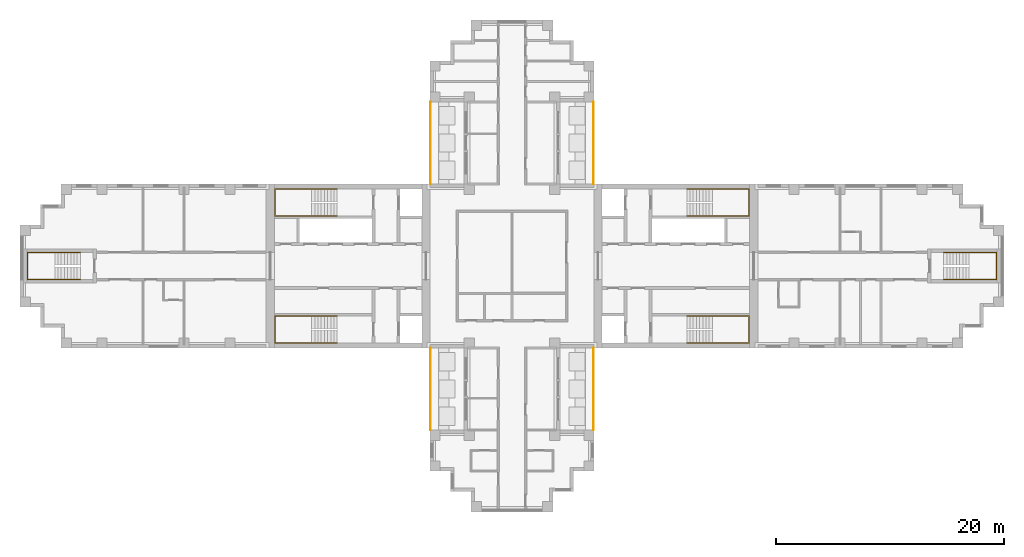
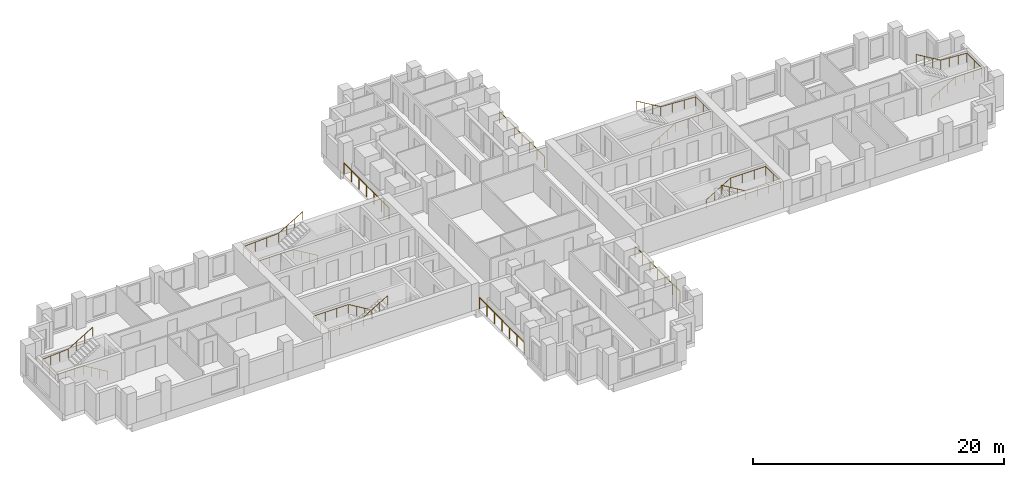
# One storey, part 11 of 12: 10 railings.
"""IFC4 building model written with IfcOpenShell, lengths in metres."""

from ifc_helpers import new_model, si_unit, direction, frame, origin, origin_2d, place, context, subcontext, project, spatial, circle, extrude, material, type_object, element, save


model = new_model("IFC4")

# Units and contexts
model_context = context("Model", 3, precision=1e-05, world=origin(), true_north=direction((0.0, 1.0)))
body_context = subcontext(model_context, "Body", "Model", "MODEL_VIEW")
ifc_project = project(units=[si_unit("LENGTHUNIT", "METRE"), si_unit("AREAUNIT", "SQUARE_METRE"), si_unit("VOLUMEUNIT", "CUBIC_METRE"), si_unit("PLANEANGLEUNIT", "RADIAN"), si_unit("MASSUNIT", "GRAM", prefix="KILO")], contexts=[model_context])

# Site, building, storey
site_placement = place(None, origin())
site = spatial("IfcSite", under=ifc_project, at=site_placement, CompositionType="ELEMENT")
building_placement = place(site_placement, origin())
building = spatial("IfcBuilding", under=site, at=building_placement, Name="Fustian Cross Tower", CompositionType="ELEMENT")
storey_placement = place(building_placement, frame((0.0, 0.0, 156.300048828125)))
storey = spatial("IfcBuildingStorey", under=building, at=storey_placement, Name="L49", CompositionType="ELEMENT", Elevation=156.300048828125)

# Railings
ifc_material_1 = material(Name="Stainless steel and glass", Category="steel")
railing_type_1 = type_object("IfcRailingType", Name="GR1 BALCONY GUARD 1100", PredefinedType="GUARDRAIL", material=ifc_material_1)
for number, where, name in (
    (1, (7.14990234375, 7.199951171875, 0.0), "Balcony guard"),
    (2, (-7.14990234375, 7.199951171875, 0.0), "Balcony guard"),
    (3, (7.14990234375, -14.39990234375, 0.0), "Balcony guard"),
    (4, (-7.14990234375, -14.39990234375, 0.0), "Balcony guard"),
):
    element("IfcRailing", number, at=place(storey_placement, frame(where)), inside=storey, type_object=railing_type_1, Name=name, PredefinedType="GUARDRAIL", context=body_context, shape_type="SweptSolid", body=[
        extrude(circle(Radius=0.02392578125, at=origin_2d()), frame((0.0, 0.0, 1.076171875), z_axis=(0.0, 1.0, 0.0), x_axis=(-1.0, 0.0, 0.0)), (0.0, 0.0, 1.0), 7.199951171875),
        extrude(circle(Radius=0.02099609375, at=origin_2d()), origin(), (0.0, 0.0, 1.0), 1.052001953125),
        extrude(circle(Radius=0.02099609375, at=origin_2d()), frame((0.0, 1.199951171875, 0.0)), (0.0, 0.0, 1.0), 1.052001953125),
        extrude(circle(Radius=0.02099609375, at=origin_2d()), frame((0.0, 2.39990234375, 0.0)), (0.0, 0.0, 1.0), 1.052001953125),
        extrude(circle(Radius=0.02099609375, at=origin_2d()), frame((0.0, 3.60009765625, 0.0)), (0.0, 0.0, 1.0), 1.052001953125),
        extrude(circle(Radius=0.02099609375, at=origin_2d()), frame((0.0, 4.800048828125, 0.0)), (0.0, 0.0, 1.0), 1.052001953125),
        extrude(circle(Radius=0.02099609375, at=origin_2d()), frame((0.0, 6.0, 0.0)), (0.0, 0.0, 1.0), 1.052001953125),
        extrude(circle(Radius=0.02099609375, at=origin_2d()), frame((0.0, 7.199951171875, 0.0)), (0.0, 0.0, 1.0), 1.052001953125),
    ])
ifc_material_2 = material(Name="Stainless steel", Category="steel")
railing_type_2 = type_object("IfcRailingType", Name="STAIR HANDRAIL", PredefinedType="HANDRAIL", material=ifc_material_2)
railing_1_placement = place(storey_placement, frame((15.35009765625, 4.39990234375, 0.16650390625)))
element("IfcRailing", 5, at=railing_1_placement, inside=storey, type_object=railing_type_2, Name="Stair ST1 handrail 1", PredefinedType="HANDRAIL", context=body_context, shape_type="SweptSolid", body=[
    extrude(circle(Radius=0.02490234375, at=origin_2d()), frame((0.0, 0.0, 0.875), z_axis=(0.859264461869, 0.0, 0.511531606619), x_axis=(0.0, 1.0, 0.0)), (0.0, 0.0, 1.0), 2.60693359375),
    extrude(circle(Radius=0.02490234375, at=origin_2d()), frame((2.239990234375, 0.0, 2.20849609375), z_axis=(1.0, 0.0, 0.0), x_axis=(0.0, 1.0, 0.0)), (0.0, 0.0, 1.0), 3.219970703125),
    extrude(circle(Radius=0.02490234375, at=origin_2d()), frame((5.4599609375, 0.0, 2.20849609375), z_axis=(0.0, 1.0, 0.0), x_axis=(-1.0, 0.0, 0.0)), (0.0, 0.0, 1.0), 2.35009765625),
    extrude(circle(Radius=0.02490234375, at=origin_2d()), frame((5.4599609375, 2.35009765625, 2.20849609375), z_axis=(-0.998665725648, 0.0, 0.051640763128), x_axis=(0.0, -1.0, 0.0)), (0.0, 0.0, 1.0), 3.224365234375),
    extrude(circle(Radius=0.02490234375, at=origin_2d()), frame((2.239990234375, 2.35009765625, 2.375), z_axis=(-0.859264461869, 0.0, 0.511531606619), x_axis=(0.0, -1.0, 0.0)), (0.0, 0.0, 1.0), 2.60693359375),
    extrude(circle(Radius=0.02001953125, at=origin_2d()), origin(), (0.0, 0.0, 1.0), 0.849853515625),
    extrude(circle(Radius=0.02001953125, at=origin_2d()), frame((0.74658203125, 0.0, 0.444580078125)), (0.0, 0.0, 1.0), 0.849853515625),
    extrude(circle(Radius=0.02001953125, at=origin_2d()), frame((1.493408203125, 0.0, 0.888916015625)), (0.0, 0.0, 1.0), 0.849853515625),
    extrude(circle(Radius=0.02001953125, at=origin_2d()), frame((2.239990234375, 0.0, 1.33349609375)), (0.0, 0.0, 1.0), 0.849853515625),
    extrude(circle(Radius=0.02001953125, at=origin_2d()), frame((3.313232421875, 0.0, 1.33349609375)), (0.0, 0.0, 1.0), 0.849853515625),
    extrude(circle(Radius=0.02001953125, at=origin_2d()), frame((4.38671875, 0.0, 1.33349609375)), (0.0, 0.0, 1.0), 0.849853515625),
    extrude(circle(Radius=0.02001953125, at=origin_2d()), frame((5.4599609375, 0.0, 1.33349609375)), (0.0, 0.0, 1.0), 0.849853515625),
    extrude(circle(Radius=0.02001953125, at=origin_2d()), frame((5.4599609375, 1.175048828125, 1.33349609375)), (0.0, 0.0, 1.0), 0.849853515625),
    extrude(circle(Radius=0.02001953125, at=origin_2d()), frame((5.4599609375, 2.35009765625, 1.33349609375)), (0.0, 0.0, 1.0), 0.849853515625),
    extrude(circle(Radius=0.02001953125, at=origin_2d()), frame((4.38671875, 2.35009765625, 1.388916015625)), (0.0, 0.0, 1.0), 0.849853515625),
    extrude(circle(Radius=0.02001953125, at=origin_2d()), frame((3.313232421875, 2.35009765625, 1.444580078125)), (0.0, 0.0, 1.0), 0.849853515625),
    extrude(circle(Radius=0.02001953125, at=origin_2d()), frame((2.239990234375, 2.35009765625, 1.5)), (0.0, 0.0, 1.0), 0.849853515625),
    extrude(circle(Radius=0.02001953125, at=origin_2d()), frame((1.493408203125, 2.35009765625, 1.944580078125)), (0.0, 0.0, 1.0), 0.849853515625),
    extrude(circle(Radius=0.02001953125, at=origin_2d()), frame((0.74658203125, 2.35009765625, 2.388916015625)), (0.0, 0.0, 1.0), 0.849853515625),
    extrude(circle(Radius=0.02001953125, at=origin_2d()), frame((0.0, 2.35009765625, 2.83349609375)), (0.0, 0.0, 1.0), 0.849853515625),
])
railing_2_placement = place(storey_placement, frame((15.35009765625, -4.39990234375, 0.16650390625)))
element("IfcRailing", 6, at=railing_2_placement, inside=storey, type_object=railing_type_2, Name="Stair ST2 handrail 1", PredefinedType="HANDRAIL", context=body_context, shape_type="SweptSolid", body=[
    extrude(circle(Radius=0.02490234375, at=origin_2d()), frame((0.0, 0.0, 0.875), z_axis=(0.859264461869, 0.0, 0.511531606619), x_axis=(0.0, 1.0, 0.0)), (0.0, 0.0, 1.0), 2.60693359375),
    extrude(circle(Radius=0.02490234375, at=origin_2d()), frame((2.239990234375, 0.0, 2.20849609375), z_axis=(1.0, 0.0, 0.0), x_axis=(0.0, 1.0, 0.0)), (0.0, 0.0, 1.0), 3.219970703125),
    extrude(circle(Radius=0.02490234375, at=origin_2d()), frame((5.4599609375, 0.0, 2.20849609375), z_axis=(0.0, -1.0, 0.0), x_axis=(1.0, 0.0, 0.0)), (0.0, 0.0, 1.0), 2.35009765625),
    extrude(circle(Radius=0.02490234375, at=origin_2d()), frame((5.4599609375, -2.35009765625, 2.20849609375), z_axis=(-0.998665725648, 0.0, 0.051640763128), x_axis=(0.0, -1.0, 0.0)), (0.0, 0.0, 1.0), 3.224365234375),
    extrude(circle(Radius=0.02490234375, at=origin_2d()), frame((2.239990234375, -2.35009765625, 2.375), z_axis=(-0.859264461869, 0.0, 0.511531606619), x_axis=(0.0, -1.0, 0.0)), (0.0, 0.0, 1.0), 2.60693359375),
    extrude(circle(Radius=0.02001953125, at=origin_2d()), origin(), (0.0, 0.0, 1.0), 0.849853515625),
    extrude(circle(Radius=0.02001953125, at=origin_2d()), frame((0.74658203125, 0.0, 0.444580078125)), (0.0, 0.0, 1.0), 0.849853515625),
    extrude(circle(Radius=0.02001953125, at=origin_2d()), frame((1.493408203125, 0.0, 0.888916015625)), (0.0, 0.0, 1.0), 0.849853515625),
    extrude(circle(Radius=0.02001953125, at=origin_2d()), frame((2.239990234375, 0.0, 1.33349609375)), (0.0, 0.0, 1.0), 0.849853515625),
    extrude(circle(Radius=0.02001953125, at=origin_2d()), frame((3.313232421875, 0.0, 1.33349609375)), (0.0, 0.0, 1.0), 0.849853515625),
    extrude(circle(Radius=0.02001953125, at=origin_2d()), frame((4.38671875, 0.0, 1.33349609375)), (0.0, 0.0, 1.0), 0.849853515625),
    extrude(circle(Radius=0.02001953125, at=origin_2d()), frame((5.4599609375, 0.0, 1.33349609375)), (0.0, 0.0, 1.0), 0.849853515625),
    extrude(circle(Radius=0.02001953125, at=origin_2d()), frame((5.4599609375, -1.175048828125, 1.33349609375)), (0.0, 0.0, 1.0), 0.849853515625),
    extrude(circle(Radius=0.02001953125, at=origin_2d()), frame((5.4599609375, -2.35009765625, 1.33349609375)), (0.0, 0.0, 1.0), 0.849853515625),
    extrude(circle(Radius=0.02001953125, at=origin_2d()), frame((4.38671875, -2.35009765625, 1.388916015625)), (0.0, 0.0, 1.0), 0.849853515625),
    extrude(circle(Radius=0.02001953125, at=origin_2d()), frame((3.313232421875, -2.35009765625, 1.444580078125)), (0.0, 0.0, 1.0), 0.849853515625),
    extrude(circle(Radius=0.02001953125, at=origin_2d()), frame((2.239990234375, -2.35009765625, 1.5)), (0.0, 0.0, 1.0), 0.849853515625),
    extrude(circle(Radius=0.02001953125, at=origin_2d()), frame((1.493408203125, -2.35009765625, 1.944580078125)), (0.0, 0.0, 1.0), 0.849853515625),
    extrude(circle(Radius=0.02001953125, at=origin_2d()), frame((0.74658203125, -2.35009765625, 2.388916015625)), (0.0, 0.0, 1.0), 0.849853515625),
    extrude(circle(Radius=0.02001953125, at=origin_2d()), frame((0.0, -2.35009765625, 2.83349609375)), (0.0, 0.0, 1.0), 0.849853515625),
])
railing_3_placement = place(storey_placement, frame((-15.35009765625, 4.39990234375, 0.16650390625)))
element("IfcRailing", 7, at=railing_3_placement, inside=storey, type_object=railing_type_2, Name="Stair ST3 handrail 1", PredefinedType="HANDRAIL", context=body_context, shape_type="SweptSolid", body=[
    extrude(circle(Radius=0.02490234375, at=origin_2d()), frame((0.0, 0.0, 0.875), z_axis=(-0.859264461869, 0.0, 0.511531606619), x_axis=(0.0, -1.0, 0.0)), (0.0, 0.0, 1.0), 2.60693359375),
    extrude(circle(Radius=0.02490234375, at=origin_2d()), frame((-2.239990234375, 0.0, 2.20849609375), z_axis=(-1.0, 0.0, 0.0), x_axis=(0.0, -1.0, 0.0)), (0.0, 0.0, 1.0), 3.219970703125),
    extrude(circle(Radius=0.02490234375, at=origin_2d()), frame((-5.4599609375, 0.0, 2.20849609375), z_axis=(0.0, 1.0, 0.0), x_axis=(-1.0, 0.0, 0.0)), (0.0, 0.0, 1.0), 2.35009765625),
    extrude(circle(Radius=0.02490234375, at=origin_2d()), frame((-5.4599609375, 2.35009765625, 2.20849609375), z_axis=(0.998665725648, 0.0, 0.051640763128), x_axis=(0.0, 1.0, 0.0)), (0.0, 0.0, 1.0), 3.224365234375),
    extrude(circle(Radius=0.02490234375, at=origin_2d()), frame((-2.239990234375, 2.35009765625, 2.375), z_axis=(0.859264461869, 0.0, 0.511531606619), x_axis=(0.0, 1.0, 0.0)), (0.0, 0.0, 1.0), 2.60693359375),
    extrude(circle(Radius=0.02001953125, at=origin_2d()), origin(), (0.0, 0.0, 1.0), 0.849853515625),
    extrude(circle(Radius=0.02001953125, at=origin_2d()), frame((-0.74658203125, 0.0, 0.444580078125)), (0.0, 0.0, 1.0), 0.849853515625),
    extrude(circle(Radius=0.02001953125, at=origin_2d()), frame((-1.493408203125, 0.0, 0.888916015625)), (0.0, 0.0, 1.0), 0.849853515625),
    extrude(circle(Radius=0.02001953125, at=origin_2d()), frame((-2.239990234375, 0.0, 1.33349609375)), (0.0, 0.0, 1.0), 0.849853515625),
    extrude(circle(Radius=0.02001953125, at=origin_2d()), frame((-3.313232421875, 0.0, 1.33349609375)), (0.0, 0.0, 1.0), 0.849853515625),
    extrude(circle(Radius=0.02001953125, at=origin_2d()), frame((-4.38671875, 0.0, 1.33349609375)), (0.0, 0.0, 1.0), 0.849853515625),
    extrude(circle(Radius=0.02001953125, at=origin_2d()), frame((-5.4599609375, 0.0, 1.33349609375)), (0.0, 0.0, 1.0), 0.849853515625),
    extrude(circle(Radius=0.02001953125, at=origin_2d()), frame((-5.4599609375, 1.175048828125, 1.33349609375)), (0.0, 0.0, 1.0), 0.849853515625),
    extrude(circle(Radius=0.02001953125, at=origin_2d()), frame((-5.4599609375, 2.35009765625, 1.33349609375)), (0.0, 0.0, 1.0), 0.849853515625),
    extrude(circle(Radius=0.02001953125, at=origin_2d()), frame((-4.38671875, 2.35009765625, 1.388916015625)), (0.0, 0.0, 1.0), 0.849853515625),
    extrude(circle(Radius=0.02001953125, at=origin_2d()), frame((-3.313232421875, 2.35009765625, 1.444580078125)), (0.0, 0.0, 1.0), 0.849853515625),
    extrude(circle(Radius=0.02001953125, at=origin_2d()), frame((-2.239990234375, 2.35009765625, 1.5)), (0.0, 0.0, 1.0), 0.849853515625),
    extrude(circle(Radius=0.02001953125, at=origin_2d()), frame((-1.493408203125, 2.35009765625, 1.944580078125)), (0.0, 0.0, 1.0), 0.849853515625),
    extrude(circle(Radius=0.02001953125, at=origin_2d()), frame((-0.74658203125, 2.35009765625, 2.388916015625)), (0.0, 0.0, 1.0), 0.849853515625),
    extrude(circle(Radius=0.02001953125, at=origin_2d()), frame((0.0, 2.35009765625, 2.83349609375)), (0.0, 0.0, 1.0), 0.849853515625),
])
railing_4_placement = place(storey_placement, frame((-15.35009765625, -4.39990234375, 0.16650390625)))
element("IfcRailing", 8, at=railing_4_placement, inside=storey, type_object=railing_type_2, Name="Stair ST4 handrail 1", PredefinedType="HANDRAIL", context=body_context, shape_type="SweptSolid", body=[
    extrude(circle(Radius=0.02490234375, at=origin_2d()), frame((0.0, 0.0, 0.875), z_axis=(-0.859264461869, 0.0, 0.511531606619), x_axis=(0.0, -1.0, 0.0)), (0.0, 0.0, 1.0), 2.60693359375),
    extrude(circle(Radius=0.02490234375, at=origin_2d()), frame((-2.239990234375, 0.0, 2.20849609375), z_axis=(-1.0, 0.0, 0.0), x_axis=(0.0, -1.0, 0.0)), (0.0, 0.0, 1.0), 3.219970703125),
    extrude(circle(Radius=0.02490234375, at=origin_2d()), frame((-5.4599609375, 0.0, 2.20849609375), z_axis=(0.0, -1.0, 0.0), x_axis=(1.0, 0.0, 0.0)), (0.0, 0.0, 1.0), 2.35009765625),
    extrude(circle(Radius=0.02490234375, at=origin_2d()), frame((-5.4599609375, -2.35009765625, 2.20849609375), z_axis=(0.998665725648, 0.0, 0.051640763128), x_axis=(0.0, 1.0, 0.0)), (0.0, 0.0, 1.0), 3.224365234375),
    extrude(circle(Radius=0.02490234375, at=origin_2d()), frame((-2.239990234375, -2.35009765625, 2.375), z_axis=(0.859264461869, 0.0, 0.511531606619), x_axis=(0.0, 1.0, 0.0)), (0.0, 0.0, 1.0), 2.60693359375),
    extrude(circle(Radius=0.02001953125, at=origin_2d()), origin(), (0.0, 0.0, 1.0), 0.849853515625),
    extrude(circle(Radius=0.02001953125, at=origin_2d()), frame((-0.74658203125, 0.0, 0.444580078125)), (0.0, 0.0, 1.0), 0.849853515625),
    extrude(circle(Radius=0.02001953125, at=origin_2d()), frame((-1.493408203125, 0.0, 0.888916015625)), (0.0, 0.0, 1.0), 0.849853515625),
    extrude(circle(Radius=0.02001953125, at=origin_2d()), frame((-2.239990234375, 0.0, 1.33349609375)), (0.0, 0.0, 1.0), 0.849853515625),
    extrude(circle(Radius=0.02001953125, at=origin_2d()), frame((-3.313232421875, 0.0, 1.33349609375)), (0.0, 0.0, 1.0), 0.849853515625),
    extrude(circle(Radius=0.02001953125, at=origin_2d()), frame((-4.38671875, 0.0, 1.33349609375)), (0.0, 0.0, 1.0), 0.849853515625),
    extrude(circle(Radius=0.02001953125, at=origin_2d()), frame((-5.4599609375, 0.0, 1.33349609375)), (0.0, 0.0, 1.0), 0.849853515625),
    extrude(circle(Radius=0.02001953125, at=origin_2d()), frame((-5.4599609375, -1.175048828125, 1.33349609375)), (0.0, 0.0, 1.0), 0.849853515625),
    extrude(circle(Radius=0.02001953125, at=origin_2d()), frame((-5.4599609375, -2.35009765625, 1.33349609375)), (0.0, 0.0, 1.0), 0.849853515625),
    extrude(circle(Radius=0.02001953125, at=origin_2d()), frame((-4.38671875, -2.35009765625, 1.388916015625)), (0.0, 0.0, 1.0), 0.849853515625),
    extrude(circle(Radius=0.02001953125, at=origin_2d()), frame((-3.313232421875, -2.35009765625, 1.444580078125)), (0.0, 0.0, 1.0), 0.849853515625),
    extrude(circle(Radius=0.02001953125, at=origin_2d()), frame((-2.239990234375, -2.35009765625, 1.5)), (0.0, 0.0, 1.0), 0.849853515625),
    extrude(circle(Radius=0.02001953125, at=origin_2d()), frame((-1.493408203125, -2.35009765625, 1.944580078125)), (0.0, 0.0, 1.0), 0.849853515625),
    extrude(circle(Radius=0.02001953125, at=origin_2d()), frame((-0.74658203125, -2.35009765625, 2.388916015625)), (0.0, 0.0, 1.0), 0.849853515625),
    extrude(circle(Radius=0.02001953125, at=origin_2d()), frame((0.0, -2.35009765625, 2.83349609375)), (0.0, 0.0, 1.0), 0.849853515625),
])
railing_5_placement = place(storey_placement, frame((37.89990234375, -1.199951171875, 0.16650390625)))
element("IfcRailing", 9, at=railing_5_placement, inside=storey, type_object=railing_type_2, Name="Stair ST8 handrail 1", PredefinedType="HANDRAIL", context=body_context, shape_type="SweptSolid", body=[
    extrude(circle(Radius=0.02490234375, at=origin_2d()), frame((0.0, 0.0, 0.875), z_axis=(0.859264461869, 0.0, 0.511531606619), x_axis=(0.0, 1.0, 0.0)), (0.0, 0.0, 1.0), 2.60693359375),
    extrude(circle(Radius=0.02490234375, at=origin_2d()), frame((2.239990234375, 0.0, 2.20849609375), z_axis=(1.0, 0.0, 0.0), x_axis=(0.0, 1.0, 0.0)), (0.0, 0.0, 1.0), 2.420166015625),
    extrude(circle(Radius=0.02490234375, at=origin_2d()), frame((4.66015625, 0.0, 2.20849609375), z_axis=(0.0, 1.0, 0.0), x_axis=(-1.0, 0.0, 0.0)), (0.0, 0.0, 1.0), 2.39990234375),
    extrude(circle(Radius=0.02490234375, at=origin_2d()), frame((4.66015625, 2.39990234375, 2.20849609375), z_axis=(-0.997641748275, 0.0, 0.068636303069), x_axis=(0.0, -1.0, 0.0)), (0.0, 0.0, 1.0), 2.42578125),
    extrude(circle(Radius=0.02490234375, at=origin_2d()), frame((2.239990234375, 2.39990234375, 2.375), z_axis=(-0.859264461869, 0.0, 0.511531606619), x_axis=(0.0, -1.0, 0.0)), (0.0, 0.0, 1.0), 2.60693359375),
    extrude(circle(Radius=0.02001953125, at=origin_2d()), origin(), (0.0, 0.0, 1.0), 0.849853515625),
    extrude(circle(Radius=0.02001953125, at=origin_2d()), frame((0.74658203125, 0.0, 0.444580078125)), (0.0, 0.0, 1.0), 0.849853515625),
    extrude(circle(Radius=0.02001953125, at=origin_2d()), frame((1.493408203125, 0.0, 0.888916015625)), (0.0, 0.0, 1.0), 0.849853515625),
    extrude(circle(Radius=0.02001953125, at=origin_2d()), frame((2.239990234375, 0.0, 1.33349609375)), (0.0, 0.0, 1.0), 0.849853515625),
    extrude(circle(Radius=0.02001953125, at=origin_2d()), frame((3.046630859375, 0.0, 1.33349609375)), (0.0, 0.0, 1.0), 0.849853515625),
    extrude(circle(Radius=0.02001953125, at=origin_2d()), frame((3.853515625, 0.0, 1.33349609375)), (0.0, 0.0, 1.0), 0.849853515625),
    extrude(circle(Radius=0.02001953125, at=origin_2d()), frame((4.66015625, 0.0, 1.33349609375)), (0.0, 0.0, 1.0), 0.849853515625),
    extrude(circle(Radius=0.02001953125, at=origin_2d()), frame((4.66015625, 1.199951171875, 1.33349609375)), (0.0, 0.0, 1.0), 0.849853515625),
    extrude(circle(Radius=0.02001953125, at=origin_2d()), frame((4.66015625, 2.39990234375, 1.33349609375)), (0.0, 0.0, 1.0), 0.849853515625),
    extrude(circle(Radius=0.02001953125, at=origin_2d()), frame((3.853515625, 2.39990234375, 1.388916015625)), (0.0, 0.0, 1.0), 0.849853515625),
    extrude(circle(Radius=0.02001953125, at=origin_2d()), frame((3.046630859375, 2.39990234375, 1.444580078125)), (0.0, 0.0, 1.0), 0.849853515625),
    extrude(circle(Radius=0.02001953125, at=origin_2d()), frame((2.239990234375, 2.39990234375, 1.5)), (0.0, 0.0, 1.0), 0.849853515625),
    extrude(circle(Radius=0.02001953125, at=origin_2d()), frame((1.493408203125, 2.39990234375, 1.944580078125)), (0.0, 0.0, 1.0), 0.849853515625),
    extrude(circle(Radius=0.02001953125, at=origin_2d()), frame((0.74658203125, 2.39990234375, 2.388916015625)), (0.0, 0.0, 1.0), 0.849853515625),
    extrude(circle(Radius=0.02001953125, at=origin_2d()), frame((0.0, 2.39990234375, 2.83349609375)), (0.0, 0.0, 1.0), 0.849853515625),
])
railing_6_placement = place(storey_placement, frame((-37.89990234375, -1.199951171875, 0.16650390625)))
element("IfcRailing", 10, at=railing_6_placement, inside=storey, type_object=railing_type_2, Name="Stair ST9 handrail 1", PredefinedType="HANDRAIL", context=body_context, shape_type="SweptSolid", body=[
    extrude(circle(Radius=0.02490234375, at=origin_2d()), frame((0.0, 0.0, 0.875), z_axis=(-0.859264461869, 0.0, 0.511531606619), x_axis=(0.0, -1.0, 0.0)), (0.0, 0.0, 1.0), 2.60693359375),
    extrude(circle(Radius=0.02490234375, at=origin_2d()), frame((-2.239990234375, 0.0, 2.20849609375), z_axis=(-1.0, 0.0, 0.0), x_axis=(0.0, -1.0, 0.0)), (0.0, 0.0, 1.0), 2.420166015625),
    extrude(circle(Radius=0.02490234375, at=origin_2d()), frame((-4.66015625, 0.0, 2.20849609375), z_axis=(0.0, 1.0, 0.0), x_axis=(-1.0, 0.0, 0.0)), (0.0, 0.0, 1.0), 2.39990234375),
    extrude(circle(Radius=0.02490234375, at=origin_2d()), frame((-4.66015625, 2.39990234375, 2.20849609375), z_axis=(0.997641748275, 0.0, 0.068636303069), x_axis=(0.0, 1.0, 0.0)), (0.0, 0.0, 1.0), 2.42578125),
    extrude(circle(Radius=0.02490234375, at=origin_2d()), frame((-2.239990234375, 2.39990234375, 2.375), z_axis=(0.859264461869, 0.0, 0.511531606619), x_axis=(0.0, 1.0, 0.0)), (0.0, 0.0, 1.0), 2.60693359375),
    extrude(circle(Radius=0.02001953125, at=origin_2d()), origin(), (0.0, 0.0, 1.0), 0.849853515625),
    extrude(circle(Radius=0.02001953125, at=origin_2d()), frame((-0.74658203125, 0.0, 0.444580078125)), (0.0, 0.0, 1.0), 0.849853515625),
    extrude(circle(Radius=0.02001953125, at=origin_2d()), frame((-1.493408203125, 0.0, 0.888916015625)), (0.0, 0.0, 1.0), 0.849853515625),
    extrude(circle(Radius=0.02001953125, at=origin_2d()), frame((-2.239990234375, 0.0, 1.33349609375)), (0.0, 0.0, 1.0), 0.849853515625),
    extrude(circle(Radius=0.02001953125, at=origin_2d()), frame((-3.046630859375, 0.0, 1.33349609375)), (0.0, 0.0, 1.0), 0.849853515625),
    extrude(circle(Radius=0.02001953125, at=origin_2d()), frame((-3.853515625, 0.0, 1.33349609375)), (0.0, 0.0, 1.0), 0.849853515625),
    extrude(circle(Radius=0.02001953125, at=origin_2d()), frame((-4.66015625, 0.0, 1.33349609375)), (0.0, 0.0, 1.0), 0.849853515625),
    extrude(circle(Radius=0.02001953125, at=origin_2d()), frame((-4.66015625, 1.199951171875, 1.33349609375)), (0.0, 0.0, 1.0), 0.849853515625),
    extrude(circle(Radius=0.02001953125, at=origin_2d()), frame((-4.66015625, 2.39990234375, 1.33349609375)), (0.0, 0.0, 1.0), 0.849853515625),
    extrude(circle(Radius=0.02001953125, at=origin_2d()), frame((-3.853515625, 2.39990234375, 1.388916015625)), (0.0, 0.0, 1.0), 0.849853515625),
    extrude(circle(Radius=0.02001953125, at=origin_2d()), frame((-3.046630859375, 2.39990234375, 1.444580078125)), (0.0, 0.0, 1.0), 0.849853515625),
    extrude(circle(Radius=0.02001953125, at=origin_2d()), frame((-2.239990234375, 2.39990234375, 1.5)), (0.0, 0.0, 1.0), 0.849853515625),
    extrude(circle(Radius=0.02001953125, at=origin_2d()), frame((-1.493408203125, 2.39990234375, 1.944580078125)), (0.0, 0.0, 1.0), 0.849853515625),
    extrude(circle(Radius=0.02001953125, at=origin_2d()), frame((-0.74658203125, 2.39990234375, 2.388916015625)), (0.0, 0.0, 1.0), 0.849853515625),
    extrude(circle(Radius=0.02001953125, at=origin_2d()), frame((0.0, 2.39990234375, 2.83349609375)), (0.0, 0.0, 1.0), 0.849853515625),
])

save(model, "model.ifc")
